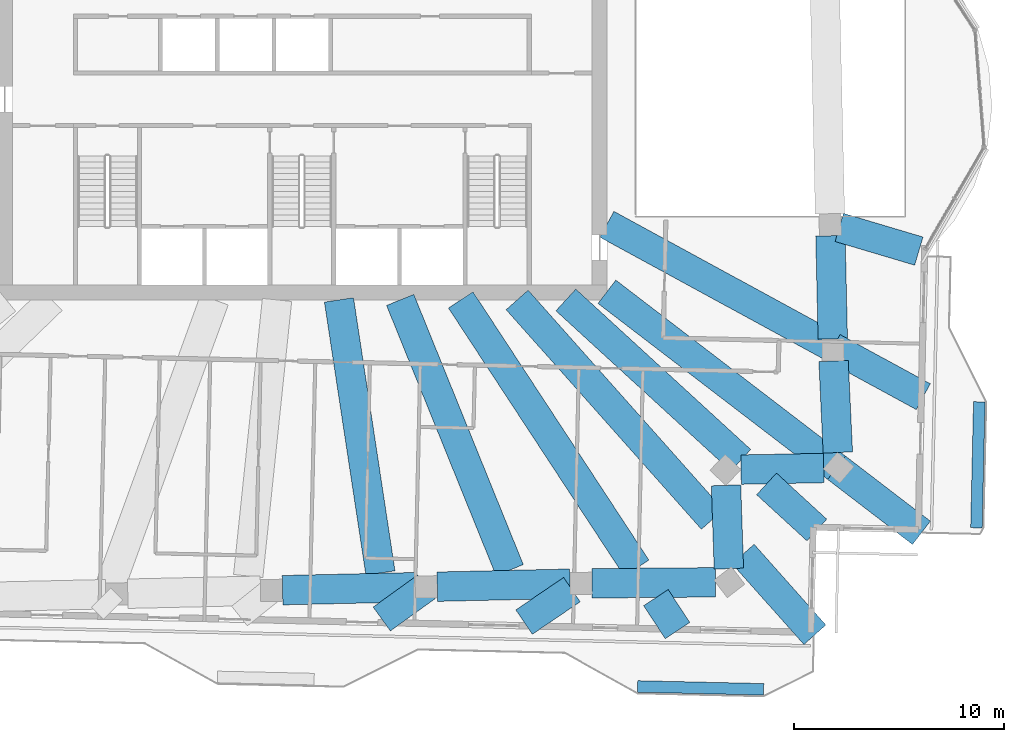
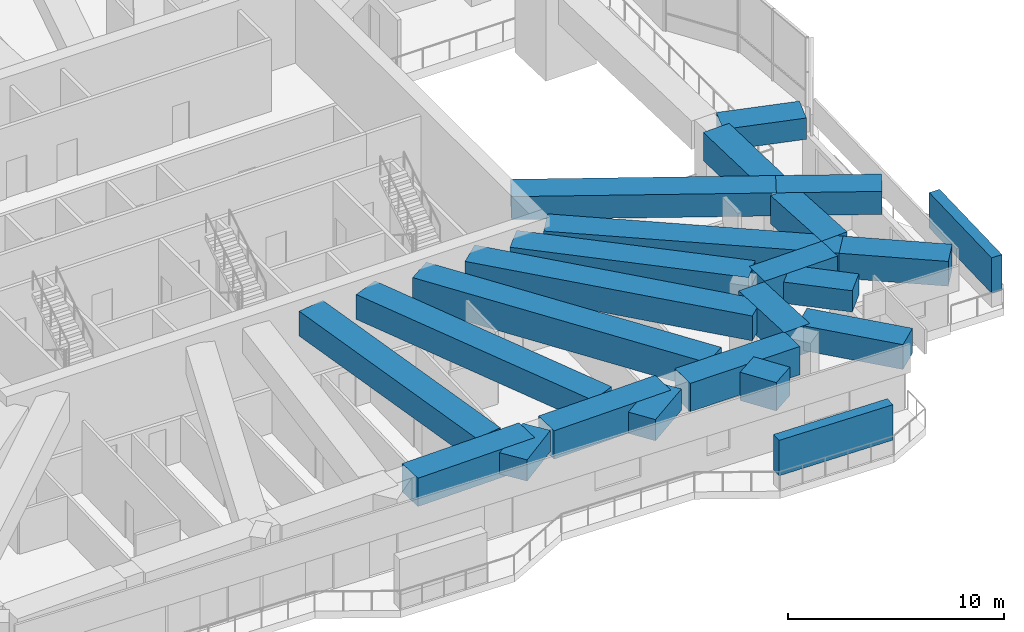
# One storey, part 3 of 20: 22 beams, 2 members.
"""IFC4 building model written with IfcOpenShell, lengths in metres."""

from ifc_helpers import new_model, si_unit, direction, frame, origin, origin_2d, place, context, subcontext, project, spatial, rectangle, extrude, material, material_profile, profile_set, type_object, element, save


model = new_model("IFC4")

# Units and contexts
model_context = context("Model", 3, precision=1e-05, world=origin(), true_north=direction((0.0, 1.0)))
body_context = subcontext(model_context, "Body", "Model", "MODEL_VIEW")
ifc_project = project(units=[si_unit("LENGTHUNIT", "METRE"), si_unit("AREAUNIT", "SQUARE_METRE"), si_unit("VOLUMEUNIT", "CUBIC_METRE"), si_unit("PLANEANGLEUNIT", "RADIAN"), si_unit("MASSUNIT", "GRAM", prefix="KILO")], contexts=[model_context])

# Site, building, storey
site_placement = place(None, origin())
site = spatial("IfcSite", under=ifc_project, at=site_placement, CompositionType="ELEMENT")
building_placement = place(site_placement, origin())
building = spatial("IfcBuilding", under=site, at=building_placement, Name="Mangrove Gate Tower", CompositionType="ELEMENT")
storey_placement = place(building_placement, frame((0.0, 0.0, 252.699951171875)))
storey = spatial("IfcBuildingStorey", under=building, at=storey_placement, Name="L64", CompositionType="ELEMENT", Elevation=252.699951171875)

# Members
ifc_material_1 = material(Name="Planting on aluminium trellis", Category="aluminium")
ifc_material_profile_1 = material_profile(ifc_material_1, rectangle(XDim=0.550048828125, YDim=2.0, at=origin_2d()))
ifc_profile_set_1 = profile_set([ifc_material_profile_1], Name="Planting on aluminium trellis")
member_type = type_object("IfcMemberType", Name="Balcony greenery screen 550x2000", PredefinedType="USERDEFINED", material=ifc_profile_set_1)
member_1_placement = place(storey_placement, frame((32.089111328125, -22.346923828125, 1.800048828125), z_axis=(0.022666865795, 0.999743073592, 0.0), x_axis=(-0.999743073592, 0.022666865795, 0.0)))
element("IfcMember", 1, at=member_1_placement, inside=storey, type_object=member_type, Name="GREEN SCREEN L64 E0.1", ObjectType="PLANTING", PredefinedType="USERDEFINED", context=body_context, shape_type="SweptSolid", body=[
    extrude(rectangle(XDim=0.550048828125, YDim=2.0, at=origin_2d()), origin(), (0.0, 0.0, 1.0), 5.999267578125),
])
member_2_placement = place(storey_placement, frame((15.962890625, -29.89794921875, 1.800048828125), z_axis=(0.999743094499, -0.022665943652, 0.0), x_axis=(0.022665943652, 0.999743094499, 0.0)))
element("IfcMember", 2, at=member_2_placement, inside=storey, type_object=member_type, Name="GREEN SCREEN L64 S1.1", ObjectType="PLANTING", PredefinedType="USERDEFINED", context=body_context, shape_type="SweptSolid", body=[
    extrude(rectangle(XDim=0.550048828125, YDim=2.0, at=origin_2d()), origin(), (0.0, 0.0, 1.0), 5.99951171875),
])

# Beams
ifc_material_2 = material(Name="Concrete C60/75", Category="concrete")
ifc_material_profile_2 = material_profile(ifc_material_2, rectangle(XDim=1.39990234375, YDim=1.199951171875, at=origin_2d()))
ifc_profile_set_2 = profile_set([ifc_material_profile_2], Name="Concrete C60/75")
beam_type_1 = type_object("IfcBeamType", Name="Transfer girder RC 1400x1200 C60/75", PredefinedType="BEAM", material=ifc_profile_set_2)
beam_1_placement = place(storey_placement, frame((12.5458984375, -11.5, 3.449951171875), z_axis=(0.737165800397, -0.675711908082, 0.0), x_axis=(0.675711908082, 0.737165800397, 0.0)))
element("IfcBeam", 3, at=beam_1_placement, inside=storey, type_object=beam_type_1, Name="Transfer girder L64 12", PredefinedType="BEAM", context=body_context, shape_type="SweptSolid", body=[
    extrude(rectangle(XDim=1.39990234375, YDim=1.199951171875, at=origin_2d()), origin(), (0.0, 0.0, 1.0), 11.298583984375),
])
beam_2_placement = place(storey_placement, frame((22.0986328125, -20.25634765625, 3.449951171875), z_axis=(0.737154140201, -0.675724628517, 0.0), x_axis=(0.675724628517, 0.737154140201, 0.0)))
element("IfcBeam", 4, at=beam_2_placement, inside=storey, type_object=beam_type_1, Name="Transfer cantilever girder L64 12", PredefinedType="BEAM", context=body_context, shape_type="SweptSolid", body=[
    extrude(rectangle(XDim=1.39990234375, YDim=1.199951171875, at=origin_2d()), origin(), (0.0, 0.0, 1.0), 3.2470703125),
])
beam_3_placement = place(storey_placement, frame((25.56103515625, -8.0498046875, 3.449951171875), z_axis=(0.958455095959, -0.28524345572, 0.0), x_axis=(0.28524345572, 0.958455095959, 0.0)))
element("IfcBeam", 5, at=beam_3_placement, inside=storey, type_object=beam_type_1, Name="Transfer edge girder L64 15", PredefinedType="BEAM", context=body_context, shape_type="SweptSolid", body=[
    extrude(rectangle(XDim=1.39990234375, YDim=1.199951171875, at=origin_2d()), origin(), (0.0, 0.0, 1.0), 3.949951171875),
])
beam_4_placement = place(storey_placement, frame((5.903076171875, -25.1611328125, 3.449951171875), z_axis=(-0.811649609516, -0.584144598, 0.0), x_axis=(0.584144598, -0.811649609516, 0.0)))
element("IfcBeam", 6, at=beam_4_placement, inside=storey, type_object=beam_type_1, Name="Transfer edge girder L64 08", PredefinedType="BEAM", context=body_context, shape_type="SweptSolid", body=[
    extrude(rectangle(XDim=1.39990234375, YDim=1.199951171875, at=origin_2d()), origin(), (0.0, 0.0, 1.0), 2.61083984375),
])
beam_5_placement = place(storey_placement, frame((12.834716796875, -25.2890625, 3.449951171875), z_axis=(-0.82743305345, -0.56156437036, 0.0), x_axis=(0.56156437036, -0.82743305345, 0.0)))
element("IfcBeam", 7, at=beam_5_placement, inside=storey, type_object=beam_type_1, Name="Transfer edge girder L64 09", PredefinedType="BEAM", context=body_context, shape_type="SweptSolid", body=[
    extrude(rectangle(XDim=1.39990234375, YDim=1.199951171875, at=origin_2d()), origin(), (0.0, 0.0, 1.0), 2.750244140625),
])
ifc_material_3 = material(Name="Concrete C60/75", Category="concrete")
ifc_material_profile_3 = material_profile(ifc_material_3, rectangle(XDim=1.39990234375, YDim=1.300048828125, at=origin_2d()))
ifc_profile_set_3 = profile_set([ifc_material_profile_3], Name="Concrete C60/75")
beam_type_2 = type_object("IfcBeamType", Name="Transfer girder RC 1400x1300 C60/75", PredefinedType="BEAM", material=ifc_profile_set_3)
beam_6_placement = place(storey_placement, frame((14.5, -7.900146484375, 3.400146484375), z_axis=(0.878129220718, -0.478423527558, 0.0), x_axis=(0.478423527558, 0.878129220718, 0.0)))
element("IfcBeam", 8, at=beam_6_placement, inside=storey, type_object=beam_type_2, Name="Transfer girder L64 14", PredefinedType="BEAM", context=body_context, shape_type="SweptSolid", body=[
    extrude(rectangle(XDim=1.39990234375, YDim=1.300048828125, at=origin_2d()), origin(), (0.0, 0.0, 1.0), 12.25390625),
])
beam_7_placement = place(storey_placement, frame((25.260498046875, -13.7626953125, 3.400146484375), z_axis=(0.878122287567, -0.47843625289, 0.0), x_axis=(0.47843625289, 0.878122287567, 0.0)))
element("IfcBeam", 9, at=beam_7_placement, inside=storey, type_object=beam_type_2, Name="Transfer cantilever girder L64 14", PredefinedType="BEAM", context=body_context, shape_type="SweptSolid", body=[
    extrude(rectangle(XDim=1.39990234375, YDim=1.300048828125, at=origin_2d()), origin(), (0.0, 0.0, 1.0), 4.895263671875),
])
ifc_material_4 = material(Name="Concrete C60/75", Category="concrete")
ifc_material_profile_4 = material_profile(ifc_material_4, rectangle(XDim=1.39990234375, YDim=1.39990234375, at=origin_2d()))
ifc_profile_set_4 = profile_set([ifc_material_profile_4], Name="Concrete C60/75")
beam_type_3 = type_object("IfcBeamType", Name="Transfer girder RC 1400x1400 C60/75", PredefinedType="BEAM", material=ifc_profile_set_4)
beam_8_placement = place(storey_placement, frame((1.7470703125, -11.5, 3.35009765625), z_axis=(0.150175631264, -0.988659334541, 0.0), x_axis=(0.988659334541, 0.150175631264, 0.0)))
element("IfcBeam", 10, at=beam_8_placement, inside=storey, type_object=beam_type_3, Name="Transfer girder L64 08", PredefinedType="BEAM", context=body_context, shape_type="SweptSolid", body=[
    extrude(rectangle(XDim=1.39990234375, YDim=1.39990234375, at=origin_2d()), origin(), (0.0, 0.0, 1.0), 13.1455078125),
])
beam_9_placement = place(storey_placement, frame((4.660888671875, -11.5, 3.35009765625), z_axis=(0.375627513711, -0.926770721885, 0.0), x_axis=(0.926770721885, 0.375627513711, 0.0)))
element("IfcBeam", 11, at=beam_9_placement, inside=storey, type_object=beam_type_3, Name="Transfer girder L64 09", PredefinedType="BEAM", context=body_context, shape_type="SweptSolid", body=[
    extrude(rectangle(XDim=1.39990234375, YDim=1.39990234375, at=origin_2d()), origin(), (0.0, 0.0, 1.0), 13.87646484375),
])
beam_10_placement = place(storey_placement, frame((10.22705078125, -11.5, 3.35009765625), z_axis=(0.664549068228, -0.747244629233, 0.0), x_axis=(0.747244629233, 0.664549068228, 0.0)))
element("IfcBeam", 12, at=beam_10_placement, inside=storey, type_object=beam_type_3, Name="Transfer girder L64 11", PredefinedType="BEAM", context=body_context, shape_type="SweptSolid", body=[
    extrude(rectangle(XDim=1.39990234375, YDim=1.39990234375, at=origin_2d()), origin(), (0.0, 0.0, 1.0), 13.98779296875),
])
beam_11_placement = place(storey_placement, frame((20.984619140625, -23.596435546875, 3.35009765625), z_axis=(0.664552488151, -0.74724158777, 0.0), x_axis=(0.74724158777, 0.664552488151, 0.0)))
element("IfcBeam", 13, at=beam_11_placement, inside=storey, type_object=beam_type_3, Name="Transfer cantilever girder L64 11", PredefinedType="BEAM", context=body_context, shape_type="SweptSolid", body=[
    extrude(rectangle(XDim=1.39990234375, YDim=1.39990234375, at=origin_2d()), origin(), (0.0, 0.0, 1.0), 5.140380859375),
])
beam_12_placement = place(storey_placement, frame((14.5, -11.11181640625, 3.35009765625), z_axis=(0.793736459019, -0.608261813386, 0.0), x_axis=(0.608261813386, 0.793736459019, 0.0)))
element("IfcBeam", 14, at=beam_12_placement, inside=storey, type_object=beam_type_3, Name="Transfer girder L64 13", PredefinedType="BEAM", context=body_context, shape_type="SweptSolid", body=[
    extrude(rectangle(XDim=1.39990234375, YDim=1.39990234375, at=origin_2d()), origin(), (0.0, 0.0, 1.0), 13.771240234375),
])
beam_13_placement = place(storey_placement, frame((25.4306640625, -19.48828125, 3.35009765625), z_axis=(0.793717515728, -0.608286532176, 0.0), x_axis=(0.608286532176, 0.793717515728, 0.0)))
element("IfcBeam", 15, at=beam_13_placement, inside=storey, type_object=beam_type_3, Name="Transfer cantilever girder L64 13", PredefinedType="BEAM", context=body_context, shape_type="SweptSolid", body=[
    extrude(rectangle(XDim=1.39990234375, YDim=1.39990234375, at=origin_2d()), origin(), (0.0, 0.0, 1.0), 5.090087890625),
])
ifc_material_5 = material(Name="Concrete C60/75", Category="concrete")
ifc_material_profile_5 = material_profile(ifc_material_5, rectangle(XDim=1.39990234375, YDim=1.60009765625, at=origin_2d()))
ifc_profile_set_5 = profile_set([ifc_material_profile_5], Name="Concrete C60/75")
beam_type_4 = type_object("IfcBeamType", Name="Transfer girder RC 1400x1600 C60/75", PredefinedType="BEAM", material=ifc_profile_set_5)
for number, where, z_axis, x_axis, name in (
    (16, (-0.93798828125, -25.316162109375, 3.25), (0.99974356829, 0.02264503618, 0.0), (-0.02264503618, 0.99974356829, 0.0), "Transfer ring girder L64 07"),
    (17, (6.427978515625, -25.149169921875, 3.25), (0.99974356829, 0.02264503618, 0.0), (-0.02264503618, 0.99974356829, 0.0), "Transfer ring girder L64 08"),
):
    element("IfcBeam", number, at=place(storey_placement, frame(where, z_axis=z_axis, x_axis=x_axis)), inside=storey, type_object=beam_type_4, Name=name, PredefinedType="BEAM", context=body_context, shape_type="SweptSolid", body=[
        extrude(rectangle(XDim=1.39990234375, YDim=1.60009765625, at=origin_2d()), origin(), (0.0, 0.0, 1.0), 6.31787109375),
    ])
beam_14_placement = place(storey_placement, frame((13.794189453125, -24.98974609375, 3.25), z_axis=(0.99996442022, 0.008435537621, 0.0), x_axis=(-0.008435537621, 0.99996442022, 0.0)))
element("IfcBeam", 18, at=beam_14_placement, inside=storey, type_object=beam_type_4, Name="Transfer ring girder L64 09", PredefinedType="BEAM", context=body_context, shape_type="SweptSolid", body=[
    extrude(rectangle(XDim=1.39990234375, YDim=1.60009765625, at=origin_2d()), origin(), (0.0, 0.0, 1.0), 5.875244140625),
])
beam_15_placement = place(storey_placement, frame((20.30517578125, -24.28955078125, 3.25), z_axis=(-0.033964262913, 0.999423047986, 0.0), x_axis=(-0.999423047986, -0.033964262913, 0.0)))
element("IfcBeam", 19, at=beam_15_placement, inside=storey, type_object=beam_type_4, Name="Transfer ring girder L64 10", PredefinedType="BEAM", context=body_context, shape_type="SweptSolid", body=[
    extrude(rectangle(XDim=1.39990234375, YDim=1.60009765625, at=origin_2d()), origin(), (0.0, 0.0, 1.0), 3.9677734375),
])
beam_16_placement = place(storey_placement, frame((20.88525390625, -19.575927734375, 3.25), z_axis=(0.999815162957, 0.019226021991, 0.0), x_axis=(-0.019226021991, 0.999815162957, 0.0)))
element("IfcBeam", 20, at=beam_16_placement, inside=storey, type_object=beam_type_4, Name="Transfer ring girder L64 11", PredefinedType="BEAM", context=body_context, shape_type="SweptSolid", body=[
    extrude(rectangle(XDim=1.39990234375, YDim=1.60009765625, at=origin_2d()), origin(), (0.0, 0.0, 1.0), 3.9365234375),
])
beam_17_placement = place(storey_placement, frame((25.492919921875, -18.762939453125, 3.25), z_axis=(-0.047012059076, 0.998894321889, 0.0), x_axis=(-0.998894321889, -0.047012059076, 0.0)))
element("IfcBeam", 21, at=beam_17_placement, inside=storey, type_object=beam_type_4, Name="Transfer ring girder L64 12", PredefinedType="BEAM", context=body_context, shape_type="SweptSolid", body=[
    extrude(rectangle(XDim=1.39990234375, YDim=1.60009765625, at=origin_2d()), origin(), (0.0, 0.0, 1.0), 4.3623046875),
])
beam_18_placement = place(storey_placement, frame((25.251220703125, -13.35595703125, 3.25), z_axis=(-0.022617522224, 0.999744191125, 0.0), x_axis=(-0.999744191125, -0.022617522224, 0.0)))
element("IfcBeam", 22, at=beam_18_placement, inside=storey, type_object=beam_type_4, Name="Transfer ring girder L64 13", PredefinedType="BEAM", context=body_context, shape_type="SweptSolid", body=[
    extrude(rectangle(XDim=1.39990234375, YDim=1.60009765625, at=origin_2d()), origin(), (0.0, 0.0, 1.0), 4.911376953125),
])
beam_19_placement = place(storey_placement, frame((7.54150390625, -11.5, 3.25), z_axis=(0.548376946295, -0.836231262733, 0.0), x_axis=(0.836231262733, 0.548376946295, 0.0)))
element("IfcBeam", 23, at=beam_19_placement, inside=storey, type_object=beam_type_4, Name="Transfer girder L64 10", PredefinedType="BEAM", context=body_context, shape_type="SweptSolid", body=[
    extrude(rectangle(XDim=1.39990234375, YDim=1.60009765625, at=origin_2d()), origin(), (0.0, 0.0, 1.0), 15.265625),
])
beam_20_placement = place(storey_placement, frame((16.833984375, -25.67041015625, 3.25), z_axis=(0.54840027798, -0.836215962005, 0.0), x_axis=(0.836215962005, 0.54840027798, 0.0)))
element("IfcBeam", 24, at=beam_20_placement, inside=storey, type_object=beam_type_4, Name="Transfer cantilever girder L64 10", PredefinedType="BEAM", context=body_context, shape_type="SweptSolid", body=[
    extrude(rectangle(XDim=1.39990234375, YDim=1.60009765625, at=origin_2d()), origin(), (0.0, 0.0, 1.0), 1.873779296875),
])

save(model, "model.ifc")
